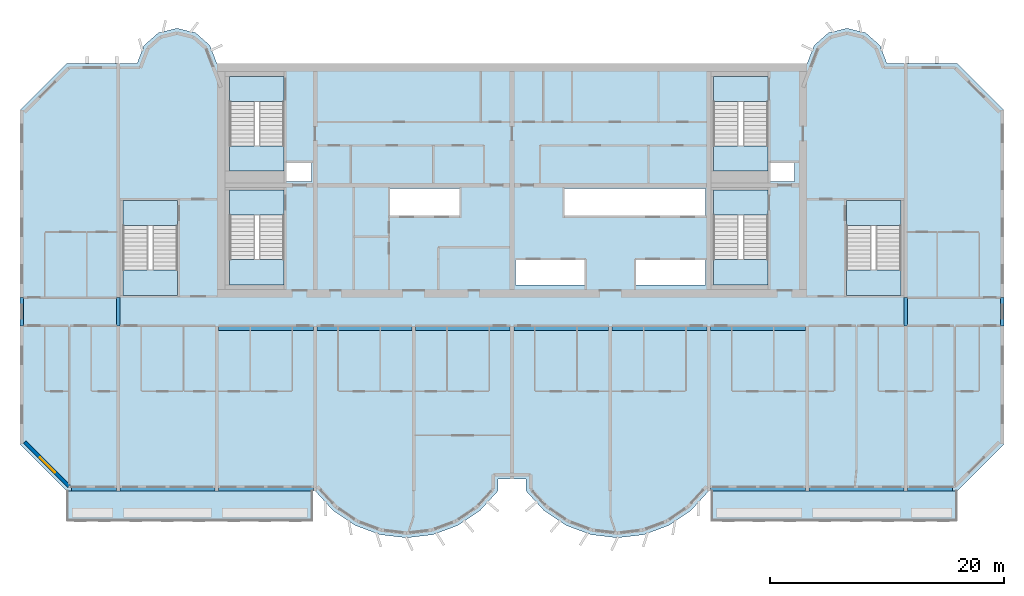
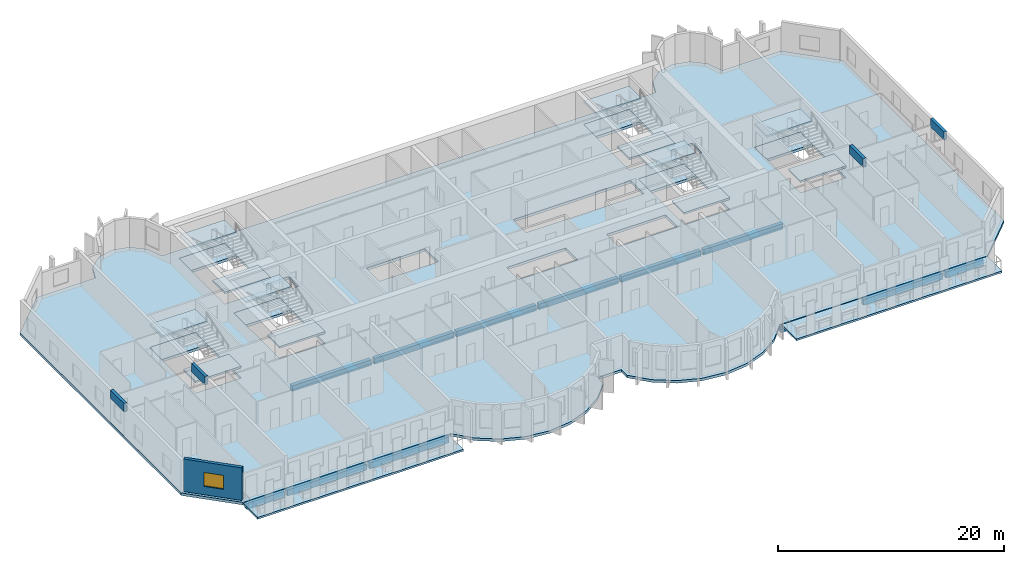
# One storey, part 1 of 13: 21 slabs, 16 beams, 1 wall, 1 window, 1 opening, 6 elements without a shape of their own.
"""IFC4 building model written with IfcOpenShell, lengths in metres."""

import ifcopenshell
import ifcopenshell.guid

model = None  # the IFC model being written
_history = None  # IfcOwnerHistory: only IFC2X3 demands one
_inside = {}  # id of a spatial element -> (the spatial element, [elements in it])
_under = {}  # id of a project, library or spatial element -> (it, [spatial elements below it])
_declared = {}  # id of a project -> (the project, [libraries it declares])
_typed = {}  # id of a type object -> (the type object, [elements of that type])
_made_of = {}  # id of a material, layer set ... -> (it, [elements and type objects made of it])


def new_model(schema):
    """Start an empty IFC model of exactly this schema.

    Asked for "IFC4X3", IfcOpenShell would pick the latest addendum, in which some entities
    have other attributes; the version numbers below select the first issue.
    IFC2X3 requires an IfcOwnerHistory on every rooted entity: one is made here for all.
    """
    global model, _history
    if schema == "IFC4X3":
        model = ifcopenshell.file(schema_version=(4, 3, 0, 0))
    else:
        model = ifcopenshell.file(schema=schema)
    _inside.clear()
    _under.clear()
    _declared.clear()
    _typed.clear()
    _made_of.clear()
    _history = None
    if model.schema == "IFC2X3":
        org = make("IfcOrganization", Name="unknown")
        user = make(
            "IfcPersonAndOrganization",
            ThePerson=make("IfcPerson", FamilyName="unknown"),
            TheOrganization=org,
        )
        app = make(
            "IfcApplication",
            ApplicationDeveloper=org,
            Version="unknown",
            ApplicationFullName="unknown",
            ApplicationIdentifier="unknown",
        )
        _history = make(
            "IfcOwnerHistory",
            OwningUser=user,
            OwningApplication=app,
            ChangeAction="ADDED",
            CreationDate=0,
        )
    return model


def make(cls, **values):
    """One entity of the class cls with the attributes given. An attribute that is None is left unset."""
    return model.create_entity(
        cls, **{name: value for name, value in values.items() if value is not None}
    )


def rooted(cls, **values):
    """An entity with a GlobalId (a new one), such as an element, a storey or a relation."""
    return make(cls, GlobalId=ifcopenshell.guid.new(), OwnerHistory=_history, **values)


def si_unit(unit_type, name, prefix=None):
    """IfcSIUnit, for example si_unit("LENGTHUNIT", "METRE", prefix="MILLI")."""
    return make("IfcSIUnit", UnitType=unit_type, Prefix=prefix, Name=name)


def assignment(units):
    """IfcUnitAssignment: the units of a project."""
    return None if units is None else make("IfcUnitAssignment", Units=units)


def point(xyz):
    """IfcCartesianPoint."""
    return None if xyz is None else make("IfcCartesianPoint", Coordinates=xyz)


def direction(xyz):
    """IfcDirection."""
    return None if xyz is None else make("IfcDirection", DirectionRatios=xyz)


def frame(location, z_axis=None, x_axis=None):
    """IfcAxis2Placement3D, a coordinate frame: its origin and axes. An axis left out is left unset."""
    return make(
        "IfcAxis2Placement3D",
        Location=point(location),
        Axis=direction(z_axis),
        RefDirection=direction(x_axis),
    )


def frame_2d(location, x_axis=None):
    """IfcAxis2Placement2D, a coordinate frame in the plane: its origin and x axis."""
    return make(
        "IfcAxis2Placement2D", Location=point(location), RefDirection=direction(x_axis)
    )


def origin():
    """The frame at (0, 0, 0) with its axes left unset."""
    return frame((0.0, 0.0, 0.0))


def origin_2d():
    """The frame at (0, 0) in the plane with its x axis left unset."""
    return frame_2d((0.0, 0.0))


def place(relative_to, where):
    """IfcLocalPlacement: puts the frame where relative to a parent placement (None: the world)."""
    return make(
        "IfcLocalPlacement", PlacementRelTo=relative_to, RelativePlacement=where
    )


def context(
    kind, dimensions, precision=None, world=None, true_north=None, identifier=None
):
    """IfcGeometricRepresentationContext, for example the 3D "Model" context."""
    return make(
        "IfcGeometricRepresentationContext",
        ContextIdentifier=identifier,
        ContextType=kind,
        CoordinateSpaceDimension=dimensions,
        Precision=precision,
        WorldCoordinateSystem=world,
        TrueNorth=true_north,
    )


def subcontext(parent, identifier, kind, view, scale=None):
    """IfcGeometricRepresentationSubContext, for example "Body" below "Model"."""
    return make(
        "IfcGeometricRepresentationSubContext",
        ContextIdentifier=identifier,
        ContextType=kind,
        ParentContext=parent,
        TargetScale=scale,
        TargetView=view,
    )


def project(units=None, contexts=None):
    """IfcProject with its units and contexts."""
    return rooted(
        "IfcProject",
        Name="project",
        RepresentationContexts=contexts,
        UnitsInContext=assignment(units),
    )


def spatial(cls, under=None, at=None, **own):
    """A site, building, storey or space (cls), placed at a placement, below another one or the project."""
    s = rooted(cls, ObjectPlacement=at, **own)
    if under is not None:
        _under.setdefault(under.id(), (under, []))[1].append(s)
    return s


def polyline(points):
    """IfcPolyline through the points."""
    return make("IfcPolyline", Points=[point(p) for p in points])


def profile(cls, at=None, kind="AREA", **sizes):
    """A parametric profile (cls). Its sizes go by their IFC names, for example OverallWidth=200.0."""
    return make(cls, ProfileType=kind, Position=at, **sizes)


def rectangle(**sizes):
    """IfcRectangleProfileDef."""
    return profile("IfcRectangleProfileDef", **sizes)


def outline(outer, holes=None, kind="AREA"):
    """IfcArbitraryClosedProfileDef: a profile drawn as a closed curve; with holes, ...WithVoids."""
    if holes is None:
        return make("IfcArbitraryClosedProfileDef", ProfileType=kind, OuterCurve=outer)
    return make(
        "IfcArbitraryProfileDefWithVoids",
        ProfileType=kind,
        OuterCurve=outer,
        InnerCurves=holes,
    )


def extrude(swept, where, along, depth):
    """IfcExtrudedAreaSolid: the profile swept, set in the frame where, extruded along a direction by depth."""
    return make(
        "IfcExtrudedAreaSolid",
        SweptArea=swept,
        Position=where,
        ExtrudedDirection=direction(along),
        Depth=depth,
    )


def shape(context_of_items, identifier, shape_type, items):
    """IfcShapeRepresentation: the items that make up one representation, for example the "Body"."""
    return make(
        "IfcShapeRepresentation",
        ContextOfItems=context_of_items,
        RepresentationIdentifier=identifier,
        RepresentationType=shape_type,
        Items=items,
    )


def source(mapping_origin, context_of_items, identifier, shape_type, items):
    """IfcRepresentationMap: a shape defined once, which mapped items show again and again."""
    return make(
        "IfcRepresentationMap",
        MappingOrigin=mapping_origin,
        MappedRepresentation=shape(context_of_items, identifier, shape_type, items),
    )


def transform(
    local_origin,
    x_axis=None,
    y_axis=None,
    z_axis=None,
    scale=None,
    scale2=None,
    scale3=None,
    uniform=True,
):
    """IfcCartesianTransformationOperator3D, or its non-uniform kind. x_axis, y_axis, z_axis: its Axis1, 2, 3."""
    if uniform:
        return make(
            "IfcCartesianTransformationOperator3D",
            Axis1=direction(x_axis),
            Axis2=direction(y_axis),
            LocalOrigin=point(local_origin),
            Scale=scale,
            Axis3=direction(z_axis),
        )
    return make(
        "IfcCartesianTransformationOperator3DnonUniform",
        Axis1=direction(x_axis),
        Axis2=direction(y_axis),
        LocalOrigin=point(local_origin),
        Scale=scale,
        Axis3=direction(z_axis),
        Scale2=scale2,
        Scale3=scale3,
    )


def mapped(mapping_source, mapping_target):
    """IfcMappedItem: shows the shape of a source again, moved by a transform."""
    return make(
        "IfcMappedItem", MappingSource=mapping_source, MappingTarget=mapping_target
    )


def material(Name=None, Category=None):
    """IfcMaterial."""
    return make("IfcMaterial", Name=Name, Category=Category)


def layer(
    of_material, thickness, ventilated=None, Name=None, Category=None, Priority=None
):
    """IfcMaterialLayer: one layer of a wall or slab, of a material (None: an air gap)."""
    return make(
        "IfcMaterialLayer",
        Material=of_material,
        LayerThickness=thickness,
        IsVentilated=ventilated,
        Name=Name,
        Category=Category,
        Priority=Priority,
    )


def layer_set(layers, Name=None):
    """IfcMaterialLayerSet."""
    return make("IfcMaterialLayerSet", MaterialLayers=layers, LayerSetName=Name)


def material_profile(
    of_material, cross_section, Name=None, Category=None, Priority=None
):
    """IfcMaterialProfile: a cross section and its material."""
    return make(
        "IfcMaterialProfile",
        Name=Name,
        Material=of_material,
        Profile=cross_section,
        Priority=Priority,
        Category=Category,
    )


def profile_set(profiles, Name=None, composite=None):
    """IfcMaterialProfileSet."""
    return make(
        "IfcMaterialProfileSet",
        Name=Name,
        MaterialProfiles=profiles,
        CompositeProfile=composite,
    )


def made_of(thing, what):
    """Note that an element or type object is made of a material, layer set ...; save() writes the relation."""
    if what is not None:
        _made_of.setdefault(what.id(), (what, []))[1].append(thing)
    return thing


def type_object(cls, material=None, **own):
    """A type object (cls), such as IfcWallType, which elements share."""
    return made_of(rooted(cls, **own), material)


def element(
    cls,
    number,
    at=None,
    inside=None,
    cuts=None,
    type_object=None,
    material=None,
    context=None,
    identifier="Body",
    shape_type=None,
    held_by="IfcProductDefinitionShape",
    body=None,
    shapes=None,
    **own,
):
    """One element of the class cls, such as IfcWall. Its Tag is "e" and its number.

    at: its placement. inside: the storey or other place that contains it. cuts: it is an
    opening in that element (IfcRelVoidsElement). A single representation is given by context,
    identifier, shape_type and body (its items); several are given by shapes. held_by: the class
    of the entity that holds the representations. save() writes the other relations.
    """
    e = rooted(cls, Tag="e%d" % number, ObjectPlacement=at, **own)
    if body is not None:
        shapes = [shape(context, identifier, shape_type, body)]
    if shapes is not None:
        e.Representation = make(held_by, Representations=shapes)
    if inside is not None:
        _inside.setdefault(inside.id(), (inside, []))[1].append(e)
    if cuts is not None:
        rooted(
            "IfcRelVoidsElement", RelatingBuildingElement=cuts, RelatedOpeningElement=e
        )
    if type_object is not None:
        _typed.setdefault(type_object.id(), (type_object, []))[1].append(e)
    return made_of(e, material)


def fill(opening, filler):
    """IfcRelFillsElement: the door or window that sits in an opening."""
    return rooted(
        "IfcRelFillsElement",
        RelatingOpeningElement=opening,
        RelatedBuildingElement=filler,
    )


def aggregate(whole, parts):
    """IfcRelAggregates: a whole, such as a stair, and the parts it consists of."""
    return rooted("IfcRelAggregates", RelatingObject=whole, RelatedObjects=parts)


def save(model, path):
    """Write the relations noted so far, then the file.

    IfcRelAggregates (storeys below a building ...), IfcRelContainedInSpatialStructure (elements
    in a storey), IfcRelDefinesByType, IfcRelAssociatesMaterial and IfcRelDeclares: one each for
    every whole, place, type object, material and project.
    """
    for whole, parts in _under.values():
        aggregate(whole, parts)
    for where, things in _inside.values():
        rooted(
            "IfcRelContainedInSpatialStructure",
            RelatedElements=things,
            RelatingStructure=where,
        )
    for kind, things in _typed.values():
        rooted("IfcRelDefinesByType", RelatedObjects=things, RelatingType=kind)
    for what, things in _made_of.values():
        rooted("IfcRelAssociatesMaterial", RelatedObjects=things, RelatingMaterial=what)
    for by, libraries in _declared.values():
        rooted("IfcRelDeclares", RelatingContext=by, RelatedDefinitions=libraries)
    model.write(path)


model = new_model("IFC4")

# Units and contexts
model_context = context("Model", 3, precision=1e-05, world=origin(), true_north=direction((0.0, 1.0)))
body_context = subcontext(model_context, "Body", "Model", "MODEL_VIEW")
ifc_project = project(units=[si_unit("LENGTHUNIT", "METRE"), si_unit("AREAUNIT", "SQUARE_METRE"), si_unit("VOLUMEUNIT", "CUBIC_METRE"), si_unit("PLANEANGLEUNIT", "RADIAN"), si_unit("MASSUNIT", "GRAM", prefix="KILO")], contexts=[model_context])

# Site, building, storey
site_placement = place(None, origin())
site = spatial("IfcSite", under=ifc_project, at=site_placement, CompositionType="ELEMENT")
building_placement = place(site_placement, origin())
building = spatial("IfcBuilding", under=site, at=building_placement, Name="Vanashikhar Sky Hotel", CompositionType="ELEMENT")
storey_placement = place(building_placement, frame((0.0, 0.0, 189.60009765625)))
storey = spatial("IfcBuildingStorey", under=building, at=storey_placement, Name="L46", CompositionType="ELEMENT", Elevation=189.60009765625)

# Beams
ifc_material_1 = material(Name="Concrete M50", Category="concrete")
ifc_material_profile_1 = material_profile(ifc_material_1, rectangle(XDim=0.300048828125, YDim=0.89990234375, at=origin_2d()))
ifc_profile_set_1 = profile_set([ifc_material_profile_1], Name="RC 300x900 beam Concrete M50")
beam_type_1 = type_object("IfcBeamType", Name="RC 300x900 beam Concrete M50", PredefinedType="LINTEL", material=ifc_profile_set_1)
shared_shape_1 = source(origin(), body_context, "Body", "SweptSolid", [
    extrude(rectangle(XDim=0.300048828125, YDim=0.89990234375, at=origin_2d()), origin(), (0.0, 0.0, 1.0), 2.39990234375),
])
for number, where, z_axis, x_axis, name in (
    (1, (8.550048828125, 19.60009765625, 3.06982421875), (0.0, 1.0, 0.0), (-1.0, 0.0, 0.0), "LB-L46-XW02"),
    (2, (16.800048828125, 19.60009765625, 3.06982421875), (0.0, 1.0, 0.0), (-1.0, 0.0, 0.0), "LB-L46-XW03"),
    (3, (84.0, 19.60009765625, 3.06982421875), (0.0, 1.0, 0.0), (-1.0, 0.0, 0.0), "LB-L46-XW11"),
    (4, (92.25, 19.60009765625, 3.06982421875), (0.0, 1.0, 0.0), (-1.0, 0.0, 0.0), "LB-L46-XW12"),
):
    element("IfcBeam", number, at=place(storey_placement, frame(where, z_axis=z_axis, x_axis=x_axis)), inside=storey, type_object=beam_type_1, Name=name, PredefinedType="LINTEL", context=body_context, shape_type="MappedRepresentation", body=[
        mapped(shared_shape_1, transform((0.0, 0.0, 0.0), scale=1.0)),
    ])
ifc_material_profile_2 = material_profile(ifc_material_1, rectangle(XDim=0.39990234375, YDim=0.64990234375, at=origin_2d()))
ifc_profile_set_2 = profile_set([ifc_material_profile_2], Name="RC 400x650 beam Concrete M50")
beam_type_2 = type_object("IfcBeamType", Name="RC 400x650 beam Concrete M50", PredefinedType="BEAM", material=ifc_profile_set_2)
shared_shape_2 = source(origin(), body_context, "Body", "SweptSolid", [
    extrude(rectangle(XDim=0.39990234375, YDim=0.64990234375, at=origin_2d()), origin(), (0.0, 0.0, 1.0), 8.10009765625),
])
for number, where, z_axis, x_axis, name in (
    (5, (16.949951171875, 5.699951171875, -0.60498046875), (1.0, 0.0, 0.0), (0.0, 1.0, 0.0), "EB-L46-F01"),
    (6, (75.75, 5.699951171875, -0.60498046875), (1.0, 0.0, 0.0), (0.0, 1.0, 0.0), "EB-L46-F05"),
):
    element("IfcBeam", number, at=place(storey_placement, frame(where, z_axis=z_axis, x_axis=x_axis)), inside=storey, type_object=beam_type_2, Name=name, PredefinedType="BEAM", context=body_context, shape_type="MappedRepresentation", body=[
        mapped(shared_shape_2, transform((0.0, 0.0, 0.0), scale=1.0)),
    ])
shared_shape_3 = source(origin(), body_context, "Body", "SweptSolid", [
    extrude(rectangle(XDim=0.39990234375, YDim=0.64990234375, at=origin_2d()), origin(), (0.0, 0.0, 1.0), 8.099853515625),
])
for number, where, z_axis, x_axis, name in (
    (7, (25.35009765625, 5.699951171875, -0.60498046875), (1.0, 0.0, 0.0), (0.0, 1.0, 0.0), "EB-L46-F02"),
    (8, (67.35009765625, 5.699951171875, -0.60498046875), (1.0, 0.0, 0.0), (0.0, 1.0, 0.0), "EB-L46-F04"),
):
    element("IfcBeam", number, at=place(storey_placement, frame(where, z_axis=z_axis, x_axis=x_axis)), inside=storey, type_object=beam_type_2, Name=name, PredefinedType="BEAM", context=body_context, shape_type="MappedRepresentation", body=[
        mapped(shared_shape_3, transform((0.0, 0.0, 0.0), scale=1.0)),
    ])
ifc_material_profile_3 = material_profile(ifc_material_1, rectangle(XDim=0.39990234375, YDim=0.64990234375, at=origin_2d()))
ifc_profile_set_3 = profile_set([ifc_material_profile_3], Name="RC 400x650 cantilever beam Concrete M50")
beam_type_3 = type_object("IfcBeamType", Name="RC 400x650 cantilever beam Concrete M50", PredefinedType="SPANDREL", material=ifc_profile_set_3)
shared_shape_4 = source(origin(), body_context, "Body", "SweptSolid", [
    extrude(rectangle(XDim=0.39990234375, YDim=0.64990234375, at=origin_2d()), origin(), (0.0, 0.0, 1.0), 3.849853515625),
])
beam_1_placement = place(storey_placement, frame((12.800048828125, 5.699951171875, -0.60498046875), z_axis=(1.0, 0.0, 0.0), x_axis=(0.0, 1.0, 0.0)))
element("IfcBeam", 9, at=beam_1_placement, inside=storey, type_object=beam_type_3, Name="EB-L46-F03", PredefinedType="SPANDREL", context=body_context, shape_type="MappedRepresentation", body=[
    mapped(shared_shape_4, transform((0.0, 0.0, 0.0), scale=1.0)),
])
shared_shape_5 = source(origin(), body_context, "Body", "SweptSolid", [
    extrude(rectangle(XDim=0.39990234375, YDim=0.64990234375, at=origin_2d()), origin(), (0.0, 0.0, 1.0), 3.85009765625),
])
beam_2_placement = place(storey_placement, frame((84.14990234375, 5.699951171875, -0.60498046875), z_axis=(1.0, 0.0, 0.0), x_axis=(0.0, 1.0, 0.0)))
element("IfcBeam", 10, at=beam_2_placement, inside=storey, type_object=beam_type_3, Name="EB-L46-F06", PredefinedType="SPANDREL", context=body_context, shape_type="MappedRepresentation", body=[
    mapped(shared_shape_5, transform((0.0, 0.0, 0.0), scale=1.0)),
])
ifc_material_profile_4 = material_profile(ifc_material_1, rectangle(XDim=0.39990234375, YDim=0.60009765625, at=origin_2d()))
ifc_profile_set_4 = profile_set([ifc_material_profile_4], Name="RC 400x600 beam Concrete M50")
beam_type_4 = type_object("IfcBeamType", Name="RC 400x600 beam Concrete M50", PredefinedType="BEAM", material=ifc_profile_set_4)
shared_shape_6 = source(origin(), body_context, "Body", "SweptSolid", [
    extrude(rectangle(XDim=0.39990234375, YDim=0.60009765625, at=origin_2d()), origin(), (0.0, 0.0, 1.0), 8.099853515625),
])
for number, where, z_axis, x_axis, name in (
    (11, (25.35009765625, 19.39990234375, -0.580078125), (1.0, 0.0, 0.0), (0.0, 1.0, 0.0), "CB-L46-01"),
    (12, (50.550048828125, 19.39990234375, -0.580078125), (1.0, 0.0, 0.0), (0.0, 1.0, 0.0), "CB-L46-04"),
    (13, (67.35009765625, 19.39990234375, -0.580078125), (1.0, 0.0, 0.0), (0.0, 1.0, 0.0), "CB-L46-06"),
):
    element("IfcBeam", number, at=place(storey_placement, frame(where, z_axis=z_axis, x_axis=x_axis)), inside=storey, type_object=beam_type_4, Name=name, PredefinedType="BEAM", context=body_context, shape_type="MappedRepresentation", body=[
        mapped(shared_shape_6, transform((0.0, 0.0, 0.0), scale=1.0)),
    ])
shared_shape_7 = source(origin(), body_context, "Body", "SweptSolid", [
    extrude(rectangle(XDim=0.39990234375, YDim=0.60009765625, at=origin_2d()), origin(), (0.0, 0.0, 1.0), 8.10009765625),
])
for number, where, z_axis, x_axis, name in (
    (14, (33.75, 19.39990234375, -0.580078125), (1.0, 0.0, 0.0), (0.0, 1.0, 0.0), "CB-L46-02"),
    (15, (42.14990234375, 19.39990234375, -0.580078125), (1.0, 0.0, 0.0), (0.0, 1.0, 0.0), "CB-L46-03"),
    (16, (58.949951171875, 19.39990234375, -0.580078125), (1.0, 0.0, 0.0), (0.0, 1.0, 0.0), "CB-L46-05"),
):
    element("IfcBeam", number, at=place(storey_placement, frame(where, z_axis=z_axis, x_axis=x_axis)), inside=storey, type_object=beam_type_4, Name=name, PredefinedType="BEAM", context=body_context, shape_type="MappedRepresentation", body=[
        mapped(shared_shape_7, transform((0.0, 0.0, 0.0), scale=1.0)),
    ])

# Slabs
ifc_material_2 = material(Name="Concrete M40", Category="concrete")
ifc_layer_1 = layer(ifc_material_2, 0.280029296875)
ifc_layer_set_1 = layer_set([ifc_layer_1], Name="Floor slab 280 mm")
slab_type_1 = type_object("IfcSlabType", Name="Floor slab 280 mm", PredefinedType="FLOOR", material=ifc_layer_set_1)
shared_shape_8 = source(origin(), body_context, "Body", "SweptSolid", [
    extrude(outline(polyline([(49.199951171875, 5.5), (49.199951171875, 6.5), (51.60009765625, 6.5), (51.60009765625, 5.5), (53.133056640625, 3.825927734375), (55.01708984375, 2.55810546875), (57.14599609375, 1.76806640625), (59.39990234375, 1.5), (61.654052734375, 1.76806640625), (63.782958984375, 2.55810546875), (65.6669921875, 3.825927734375), (67.199951171875, 5.5), (88.39990234375, 5.5), (92.39990234375, 9.5), (92.39990234375, 38.0), (88.39990234375, 42.0), (82.39990234375, 42.0), (81.81494140625, 43.527099609375), (80.587890625, 44.610107421875), (79.0, 45.0), (77.412109375, 44.610107421875), (76.18505859375, 43.527099609375), (75.60009765625, 42.0), (25.199951171875, 42.0), (24.614990234375, 43.527099609375), (23.387939453125, 44.610107421875), (21.800048828125, 45.0), (20.2119140625, 44.610107421875), (18.985107421875, 43.527099609375), (18.39990234375, 42.0), (12.39990234375, 42.0), (8.39990234375, 38.0), (8.39990234375, 9.5), (12.39990234375, 5.5), (33.60009765625, 5.5), (35.133056640625, 3.825927734375), (37.01708984375, 2.55810546875), (39.14599609375, 1.76806640625), (41.39990234375, 1.5), (43.654052734375, 1.76806640625), (45.782958984375, 2.55810546875), (47.6669921875, 3.825927734375), (49.199951171875, 5.5)]), holes=[polyline([(33.300048828125, 33.60009765625), (31.050048828125, 33.60009765625), (31.050048828125, 31.89990234375), (33.300048828125, 31.89990234375), (33.300048828125, 33.60009765625)]), polyline([(39.89990234375, 31.300048828125), (39.89990234375, 29.0), (45.89990234375, 29.0), (45.89990234375, 31.300048828125), (39.89990234375, 31.300048828125)]), polyline([(50.699951171875, 25.199951171875), (50.699951171875, 23.10009765625), (56.699951171875, 23.10009765625), (56.699951171875, 25.199951171875), (50.699951171875, 25.199951171875)]), polyline([(66.89990234375, 29.0), (66.89990234375, 31.300048828125), (54.89990234375, 31.300048828125), (54.89990234375, 29.0), (66.89990234375, 29.0)]), polyline([(60.89990234375, 25.199951171875), (60.89990234375, 23.10009765625), (66.89990234375, 23.10009765625), (66.89990234375, 25.199951171875), (60.89990234375, 25.199951171875)]), polyline([(74.5, 33.60009765625), (72.35009765625, 33.60009765625), (72.35009765625, 31.89990234375), (74.5, 31.89990234375), (74.5, 33.60009765625)]), polyline([(30.949951171875, 23.10009765625), (30.949951171875, 31.199951171875), (26.300048828125, 31.199951171875), (26.300048828125, 23.10009765625), (30.949951171875, 23.10009765625)]), polyline([(72.25, 23.10009765625), (72.25, 31.199951171875), (67.60009765625, 31.199951171875), (67.60009765625, 23.10009765625), (72.25, 23.10009765625)]), polyline([(30.949951171875, 32.800048828125), (30.949951171875, 40.89990234375), (26.300048828125, 40.89990234375), (26.300048828125, 32.800048828125), (30.949951171875, 32.800048828125)]), polyline([(72.25, 32.800048828125), (72.25, 40.89990234375), (67.60009765625, 40.89990234375), (67.60009765625, 32.800048828125), (72.25, 32.800048828125)]), polyline([(83.60009765625, 22.199951171875), (83.60009765625, 30.300048828125), (78.949951171875, 30.300048828125), (78.949951171875, 22.199951171875), (83.60009765625, 22.199951171875)]), polyline([(21.85009765625, 22.199951171875), (21.85009765625, 30.300048828125), (17.199951171875, 30.300048828125), (17.199951171875, 22.199951171875), (21.85009765625, 22.199951171875)])]), origin(), (0.0, 0.0, 1.0), 0.280029296875),
])
slab_1_placement = place(storey_placement, frame((0.0, 0.0, -0.280029296875)))
element("IfcSlab", 17, at=slab_1_placement, inside=storey, type_object=slab_type_1, Name="Floor slab L46", PredefinedType="FLOOR", context=body_context, shape_type="MappedRepresentation", body=[
    mapped(shared_shape_8, transform((0.0, 0.0, 0.0), scale=1.0)),
])
ifc_layer_2 = layer(ifc_material_2, 0.199951171875)
ifc_layer_set_2 = layer_set([ifc_layer_2], Name="Balcony slab 200 mm")
slab_type_2 = type_object("IfcSlabType", Name="Balcony slab 200 mm", PredefinedType="USERDEFINED", material=ifc_layer_set_2)
shared_shape_9 = source(origin(), body_context, "Body", "SweptSolid", [
    extrude(outline(polyline([(12.39990234375, 2.89990234375), (33.39990234375, 2.89990234375), (33.39990234375, 5.5), (12.39990234375, 5.5), (12.39990234375, 2.89990234375)])), origin(), (0.0, 0.0, 1.0), 0.199951171875),
])
slab_2_placement = place(storey_placement, frame((0.0, 0.0, -0.25)))
element("IfcSlab", 18, at=slab_2_placement, inside=storey, type_object=slab_type_2, Name="Balcony slab L46 1", ObjectType="BALCONY", PredefinedType="USERDEFINED", context=body_context, shape_type="MappedRepresentation", body=[
    mapped(shared_shape_9, transform((0.0, 0.0, 0.0), scale=1.0)),
])
shared_shape_10 = source(origin(), body_context, "Body", "SweptSolid", [
    extrude(outline(polyline([(67.39990234375, 2.89990234375), (88.39990234375, 2.89990234375), (88.39990234375, 5.5), (67.39990234375, 5.5), (67.39990234375, 2.89990234375)])), origin(), (0.0, 0.0, 1.0), 0.199951171875),
])
slab_3_placement = place(storey_placement, frame((0.0, 0.0, -0.25)))
element("IfcSlab", 19, at=slab_3_placement, inside=storey, type_object=slab_type_2, Name="Balcony slab L46 2", ObjectType="BALCONY", PredefinedType="USERDEFINED", context=body_context, shape_type="MappedRepresentation", body=[
    mapped(shared_shape_10, transform((0.0, 0.0, 0.0), scale=1.0)),
])

# Stair, slabs
stair_type = type_object("IfcStairType", Name="Exit stair 2150", PredefinedType="DOUBLE_RETURN_STAIR", material=ifc_material_2)
stair_1_placement = place(storey_placement, origin())
stair_1 = element("IfcStair", 20, at=stair_1_placement, inside=storey, type_object=stair_type, Name="L46 Exit stair 1", PredefinedType="DOUBLE_RETURN_STAIR")
ifc_layer_3 = layer(ifc_material_2, 0.199951171875)
ifc_layer_set_3 = layer_set([ifc_layer_3], Name="Stair landing 200")
slab_type_3 = type_object("IfcSlabType", Name="Stair landing 200", PredefinedType="LANDING", material=ifc_layer_set_3)
shared_shape_11 = source(origin(), body_context, "Body", "SweptSolid", [
    extrude(outline(polyline([(30.949951171875, 29.050048828125), (30.949951171875, 31.199951171875), (26.300048828125, 31.199951171875), (26.300048828125, 29.050048828125), (30.949951171875, 29.050048828125)])), origin(), (0.0, 0.0, 1.0), 0.199951171875),
])
slab_4_placement = place(storey_placement, frame((0.0, 0.0, 2.333251953125)))
slab_4 = element("IfcSlab", 21, at=slab_4_placement, type_object=slab_type_3, Name="ST-C1 landing 2", PredefinedType="LANDING", context=body_context, shape_type="MappedRepresentation", body=[
    mapped(shared_shape_11, transform((0.0, 0.0, 0.0), scale=1.0)),
])
shared_shape_12 = source(origin(), body_context, "Body", "SweptSolid", [
    extrude(outline(polyline([(30.949951171875, 23.10009765625), (30.949951171875, 25.25), (26.300048828125, 25.25), (26.300048828125, 23.10009765625), (30.949951171875, 23.10009765625)])), origin(), (0.0, 0.0, 1.0), 0.199951171875),
])
slab_5_placement = place(storey_placement, frame((0.0, 0.0, 1.066650390625)))
slab_5 = element("IfcSlab", 22, at=slab_5_placement, type_object=slab_type_3, Name="ST-C1 landing 1", PredefinedType="LANDING", context=body_context, shape_type="MappedRepresentation", body=[
    mapped(shared_shape_12, transform((0.0, 0.0, 0.0), scale=1.0)),
])
aggregate(stair_1, [slab_5, slab_4])

# Slab
ifc_layer_4 = layer(ifc_material_2, 0.280029296875)
ifc_layer_set_4 = layer_set([ifc_layer_4], Name="Stair floor landing 280")
slab_type_4 = type_object("IfcSlabType", Name="Stair floor landing 280", PredefinedType="LANDING", material=ifc_layer_set_4)
shared_shape_13 = source(origin(), body_context, "Body", "SweptSolid", [
    extrude(outline(polyline([(30.949951171875, 29.050048828125), (30.949951171875, 31.199951171875), (26.300048828125, 31.199951171875), (26.300048828125, 29.050048828125), (30.949951171875, 29.050048828125)])), origin(), (0.0, 0.0, 1.0), 0.280029296875),
])
slab_6_placement = place(storey_placement, frame((0.0, 0.0, -0.280029296875)))
element("IfcSlab", 23, at=slab_6_placement, inside=storey, type_object=slab_type_4, Name="Exit stair 1 floor landing", PredefinedType="LANDING", context=body_context, shape_type="MappedRepresentation", body=[
    mapped(shared_shape_13, transform((0.0, 0.0, 0.0), scale=1.0)),
])

# Stair, slabs
stair_2_placement = place(storey_placement, origin())
stair_2 = element("IfcStair", 24, at=stair_2_placement, inside=storey, type_object=stair_type, Name="L46 Exit stair 2", PredefinedType="DOUBLE_RETURN_STAIR")
shared_shape_14 = source(origin(), body_context, "Body", "SweptSolid", [
    extrude(outline(polyline([(72.25, 29.050048828125), (72.25, 31.199951171875), (67.60009765625, 31.199951171875), (67.60009765625, 29.050048828125), (72.25, 29.050048828125)])), origin(), (0.0, 0.0, 1.0), 0.199951171875),
])
slab_7_placement = place(storey_placement, frame((0.0, 0.0, 2.333251953125)))
slab_7 = element("IfcSlab", 25, at=slab_7_placement, type_object=slab_type_3, Name="ST-C2 landing 2", PredefinedType="LANDING", context=body_context, shape_type="MappedRepresentation", body=[
    mapped(shared_shape_14, transform((0.0, 0.0, 0.0), scale=1.0)),
])
shared_shape_15 = source(origin(), body_context, "Body", "SweptSolid", [
    extrude(outline(polyline([(72.25, 23.10009765625), (72.25, 25.25), (67.60009765625, 25.25), (67.60009765625, 23.10009765625), (72.25, 23.10009765625)])), origin(), (0.0, 0.0, 1.0), 0.199951171875),
])
slab_8_placement = place(storey_placement, frame((0.0, 0.0, 1.066650390625)))
slab_8 = element("IfcSlab", 26, at=slab_8_placement, type_object=slab_type_3, Name="ST-C2 landing 1", PredefinedType="LANDING", context=body_context, shape_type="MappedRepresentation", body=[
    mapped(shared_shape_15, transform((0.0, 0.0, 0.0), scale=1.0)),
])
aggregate(stair_2, [slab_8, slab_7])

# Slab
shared_shape_16 = source(origin(), body_context, "Body", "SweptSolid", [
    extrude(outline(polyline([(72.25, 29.050048828125), (72.25, 31.199951171875), (67.60009765625, 31.199951171875), (67.60009765625, 29.050048828125), (72.25, 29.050048828125)])), origin(), (0.0, 0.0, 1.0), 0.280029296875),
])
slab_9_placement = place(storey_placement, frame((0.0, 0.0, -0.280029296875)))
element("IfcSlab", 27, at=slab_9_placement, inside=storey, type_object=slab_type_4, Name="Exit stair 2 floor landing", PredefinedType="LANDING", context=body_context, shape_type="MappedRepresentation", body=[
    mapped(shared_shape_16, transform((0.0, 0.0, 0.0), scale=1.0)),
])

# Stair, slabs
stair_3_placement = place(storey_placement, origin())
stair_3 = element("IfcStair", 28, at=stair_3_placement, inside=storey, type_object=stair_type, Name="L46 Exit stair 3", PredefinedType="DOUBLE_RETURN_STAIR")
shared_shape_17 = source(origin(), body_context, "Body", "SweptSolid", [
    extrude(outline(polyline([(21.85009765625, 28.14990234375), (21.85009765625, 30.300048828125), (17.199951171875, 30.300048828125), (17.199951171875, 28.14990234375), (21.85009765625, 28.14990234375)])), origin(), (0.0, 0.0, 1.0), 0.199951171875),
])
slab_10_placement = place(storey_placement, frame((0.0, 0.0, 2.333251953125)))
slab_10 = element("IfcSlab", 29, at=slab_10_placement, type_object=slab_type_3, Name="ST-W landing 2", PredefinedType="LANDING", context=body_context, shape_type="MappedRepresentation", body=[
    mapped(shared_shape_17, transform((0.0, 0.0, 0.0), scale=1.0)),
])
shared_shape_18 = source(origin(), body_context, "Body", "SweptSolid", [
    extrude(outline(polyline([(21.85009765625, 22.199951171875), (21.85009765625, 24.35009765625), (17.199951171875, 24.35009765625), (17.199951171875, 22.199951171875), (21.85009765625, 22.199951171875)])), origin(), (0.0, 0.0, 1.0), 0.199951171875),
])
slab_11_placement = place(storey_placement, frame((0.0, 0.0, 1.066650390625)))
slab_11 = element("IfcSlab", 30, at=slab_11_placement, type_object=slab_type_3, Name="ST-W landing 1", PredefinedType="LANDING", context=body_context, shape_type="MappedRepresentation", body=[
    mapped(shared_shape_18, transform((0.0, 0.0, 0.0), scale=1.0)),
])
aggregate(stair_3, [slab_11, slab_10])

# Slab
shared_shape_19 = source(origin(), body_context, "Body", "SweptSolid", [
    extrude(outline(polyline([(21.85009765625, 28.14990234375), (21.85009765625, 30.300048828125), (17.199951171875, 30.300048828125), (17.199951171875, 28.14990234375), (21.85009765625, 28.14990234375)])), origin(), (0.0, 0.0, 1.0), 0.280029296875),
])
slab_12_placement = place(storey_placement, frame((0.0, 0.0, -0.280029296875)))
element("IfcSlab", 31, at=slab_12_placement, inside=storey, type_object=slab_type_4, Name="Exit stair 3 floor landing", PredefinedType="LANDING", context=body_context, shape_type="MappedRepresentation", body=[
    mapped(shared_shape_19, transform((0.0, 0.0, 0.0), scale=1.0)),
])

# Stair, slabs
stair_4_placement = place(storey_placement, origin())
stair_4 = element("IfcStair", 32, at=stair_4_placement, inside=storey, type_object=stair_type, Name="L46 Exit stair 4", PredefinedType="DOUBLE_RETURN_STAIR")
shared_shape_20 = source(origin(), body_context, "Body", "SweptSolid", [
    extrude(outline(polyline([(83.60009765625, 28.14990234375), (83.60009765625, 30.300048828125), (78.949951171875, 30.300048828125), (78.949951171875, 28.14990234375), (83.60009765625, 28.14990234375)])), origin(), (0.0, 0.0, 1.0), 0.199951171875),
])
slab_13_placement = place(storey_placement, frame((0.0, 0.0, 2.333251953125)))
slab_13 = element("IfcSlab", 33, at=slab_13_placement, type_object=slab_type_3, Name="ST-E landing 2", PredefinedType="LANDING", context=body_context, shape_type="MappedRepresentation", body=[
    mapped(shared_shape_20, transform((0.0, 0.0, 0.0), scale=1.0)),
])
shared_shape_21 = source(origin(), body_context, "Body", "SweptSolid", [
    extrude(outline(polyline([(83.60009765625, 22.199951171875), (83.60009765625, 24.35009765625), (78.949951171875, 24.35009765625), (78.949951171875, 22.199951171875), (83.60009765625, 22.199951171875)])), origin(), (0.0, 0.0, 1.0), 0.199951171875),
])
slab_14_placement = place(storey_placement, frame((0.0, 0.0, 1.066650390625)))
slab_14 = element("IfcSlab", 34, at=slab_14_placement, type_object=slab_type_3, Name="ST-E landing 1", PredefinedType="LANDING", context=body_context, shape_type="MappedRepresentation", body=[
    mapped(shared_shape_21, transform((0.0, 0.0, 0.0), scale=1.0)),
])
aggregate(stair_4, [slab_14, slab_13])

# Slab
shared_shape_22 = source(origin(), body_context, "Body", "SweptSolid", [
    extrude(outline(polyline([(83.60009765625, 28.14990234375), (83.60009765625, 30.300048828125), (78.949951171875, 30.300048828125), (78.949951171875, 28.14990234375), (83.60009765625, 28.14990234375)])), origin(), (0.0, 0.0, 1.0), 0.280029296875),
])
slab_15_placement = place(storey_placement, frame((0.0, 0.0, -0.280029296875)))
element("IfcSlab", 35, at=slab_15_placement, inside=storey, type_object=slab_type_4, Name="Exit stair 4 floor landing", PredefinedType="LANDING", context=body_context, shape_type="MappedRepresentation", body=[
    mapped(shared_shape_22, transform((0.0, 0.0, 0.0), scale=1.0)),
])

# Stair, slabs
stair_5_placement = place(storey_placement, origin())
stair_5 = element("IfcStair", 36, at=stair_5_placement, inside=storey, type_object=stair_type, Name="L46 Exit stair 5", PredefinedType="DOUBLE_RETURN_STAIR")
shared_shape_23 = source(origin(), body_context, "Body", "SweptSolid", [
    extrude(outline(polyline([(30.949951171875, 38.75), (30.949951171875, 40.89990234375), (26.300048828125, 40.89990234375), (26.300048828125, 38.75), (30.949951171875, 38.75)])), origin(), (0.0, 0.0, 1.0), 0.199951171875),
])
slab_16_placement = place(storey_placement, frame((0.0, 0.0, 2.333251953125)))
slab_16 = element("IfcSlab", 37, at=slab_16_placement, type_object=slab_type_3, Name="ST-C3 landing 2", PredefinedType="LANDING", context=body_context, shape_type="MappedRepresentation", body=[
    mapped(shared_shape_23, transform((0.0, 0.0, 0.0), scale=1.0)),
])
shared_shape_24 = source(origin(), body_context, "Body", "SweptSolid", [
    extrude(outline(polyline([(30.949951171875, 32.800048828125), (30.949951171875, 34.949951171875), (26.300048828125, 34.949951171875), (26.300048828125, 32.800048828125), (30.949951171875, 32.800048828125)])), origin(), (0.0, 0.0, 1.0), 0.199951171875),
])
slab_17_placement = place(storey_placement, frame((0.0, 0.0, 1.066650390625)))
slab_17 = element("IfcSlab", 38, at=slab_17_placement, type_object=slab_type_3, Name="ST-C3 landing 1", PredefinedType="LANDING", context=body_context, shape_type="MappedRepresentation", body=[
    mapped(shared_shape_24, transform((0.0, 0.0, 0.0), scale=1.0)),
])
aggregate(stair_5, [slab_17, slab_16])

# Slab
shared_shape_25 = source(origin(), body_context, "Body", "SweptSolid", [
    extrude(outline(polyline([(30.949951171875, 38.75), (30.949951171875, 40.89990234375), (26.300048828125, 40.89990234375), (26.300048828125, 38.75), (30.949951171875, 38.75)])), origin(), (0.0, 0.0, 1.0), 0.280029296875),
])
slab_18_placement = place(storey_placement, frame((0.0, 0.0, -0.280029296875)))
element("IfcSlab", 39, at=slab_18_placement, inside=storey, type_object=slab_type_4, Name="Exit stair 5 floor landing", PredefinedType="LANDING", context=body_context, shape_type="MappedRepresentation", body=[
    mapped(shared_shape_25, transform((0.0, 0.0, 0.0), scale=1.0)),
])

# Stair, slabs
stair_6_placement = place(storey_placement, origin())
stair_6 = element("IfcStair", 40, at=stair_6_placement, inside=storey, type_object=stair_type, Name="L46 Exit stair 6", PredefinedType="DOUBLE_RETURN_STAIR")
shared_shape_26 = source(origin(), body_context, "Body", "SweptSolid", [
    extrude(outline(polyline([(72.25, 38.75), (72.25, 40.89990234375), (67.60009765625, 40.89990234375), (67.60009765625, 38.75), (72.25, 38.75)])), origin(), (0.0, 0.0, 1.0), 0.199951171875),
])
slab_19_placement = place(storey_placement, frame((0.0, 0.0, 2.333251953125)))
slab_19 = element("IfcSlab", 41, at=slab_19_placement, type_object=slab_type_3, Name="ST-C4 landing 2", PredefinedType="LANDING", context=body_context, shape_type="MappedRepresentation", body=[
    mapped(shared_shape_26, transform((0.0, 0.0, 0.0), scale=1.0)),
])
shared_shape_27 = source(origin(), body_context, "Body", "SweptSolid", [
    extrude(outline(polyline([(72.25, 32.800048828125), (72.25, 34.949951171875), (67.60009765625, 34.949951171875), (67.60009765625, 32.800048828125), (72.25, 32.800048828125)])), origin(), (0.0, 0.0, 1.0), 0.199951171875),
])
slab_20_placement = place(storey_placement, frame((0.0, 0.0, 1.066650390625)))
slab_20 = element("IfcSlab", 42, at=slab_20_placement, type_object=slab_type_3, Name="ST-C4 landing 1", PredefinedType="LANDING", context=body_context, shape_type="MappedRepresentation", body=[
    mapped(shared_shape_27, transform((0.0, 0.0, 0.0), scale=1.0)),
])
aggregate(stair_6, [slab_20, slab_19])

# Slab
shared_shape_28 = source(origin(), body_context, "Body", "SweptSolid", [
    extrude(outline(polyline([(72.25, 38.75), (72.25, 40.89990234375), (67.60009765625, 40.89990234375), (67.60009765625, 38.75), (72.25, 38.75)])), origin(), (0.0, 0.0, 1.0), 0.280029296875),
])
slab_21_placement = place(storey_placement, frame((0.0, 0.0, -0.280029296875)))
element("IfcSlab", 43, at=slab_21_placement, inside=storey, type_object=slab_type_4, Name="Exit stair 6 floor landing", PredefinedType="LANDING", context=body_context, shape_type="MappedRepresentation", body=[
    mapped(shared_shape_28, transform((0.0, 0.0, 0.0), scale=1.0)),
])

# Wall, opening, window
ifc_layer_5 = layer(ifc_material_1, 0.300048828125)
ifc_layer_set_5 = layer_set([ifc_layer_5], Name="Lobe wall 300")
wall_type = type_object("IfcWallType", Name="Lobe wall 300", PredefinedType="SOLIDWALL", material=ifc_layer_set_5)
shared_shape_29 = source(origin(), body_context, "Body", "SweptSolid", [
    extrude(rectangle(XDim=5.32568359375, YDim=0.300048828125, at=frame_2d((2.662841796875, 0.0))), origin(), (0.0, 0.0, 1.0), 3.52001953125),
])
wall_placement = place(storey_placement, frame((8.800048828125, 9.665771484375, 0.0), z_axis=(0.0, 0.0, 1.0), x_axis=(0.707083859269, -0.707129702361, 0.0)))
wall = element("IfcWall", 44, at=wall_placement, inside=storey, type_object=wall_type, Name="Corner wall", PredefinedType="SOLIDWALL", context=body_context, shape_type="MappedRepresentation", body=[
    mapped(shared_shape_29, transform((0.0, 0.0, 0.0), scale=1.0)),
])
shared_shape_30 = source(origin(), body_context, "Body", "SweptSolid", [
    extrude(rectangle(XDim=1.800048828125, YDim=1.5, at=frame_2d((0.89990234375, 0.75))), frame((0.0, 0.16015625, 0.0), z_axis=(0.0, -1.0, 0.0), x_axis=(1.0, 0.0, 0.0)), (0.0, 0.0, 1.0), 0.320068359375),
])
opening_placement = place(wall_placement, frame((1.8359375, 0.0, 0.89990234375)))
opening = element("IfcOpeningElement", 45, at=opening_placement, cuts=wall, Name="Opening WN-4", PredefinedType="OPENING", context=body_context, shape_type="MappedRepresentation", body=[
    mapped(shared_shape_30, transform((0.0, 0.0, 0.0), scale=1.0)),
])
ifc_material_3 = material(Name="Glass", Category="glass")
window_type = type_object("IfcWindowType", Name="Corner window 1800 x 1500", PartitioningType="SINGLE_PANEL", PredefinedType="WINDOW", material=ifc_material_3)
shared_shape_31 = source(origin(), body_context, "Body", "SweptSolid", [
    extrude(rectangle(XDim=1.800048828125, YDim=1.5, at=frame_2d((0.89990234375, 0.75))), frame((0.0, 0.030029296875, 0.0), z_axis=(0.0, -1.0, 0.0), x_axis=(1.0, 0.0, 0.0)), (0.0, 0.0, 1.0), 0.06005859375),
])
window_placement = place(opening_placement, origin())
window = element("IfcWindow", 46, at=window_placement, inside=storey, type_object=window_type, Name="Window WN-4", OverallHeight=1.5, OverallWidth=1.800048828125, PartitioningType="SINGLE_PANEL", PredefinedType="WINDOW", context=body_context, shape_type="MappedRepresentation", body=[
    mapped(shared_shape_31, transform((0.0, 0.0, 0.0), scale=1.0)),
])
fill(opening, window)

save(model, "model.ifc")
